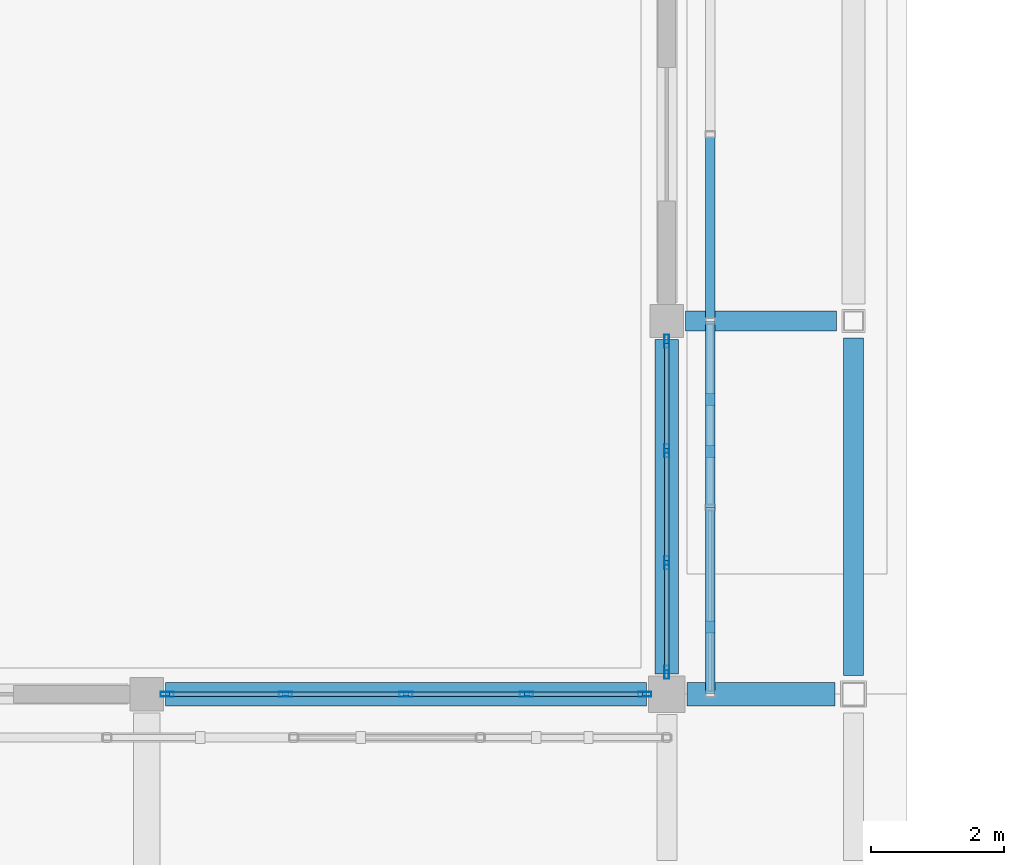
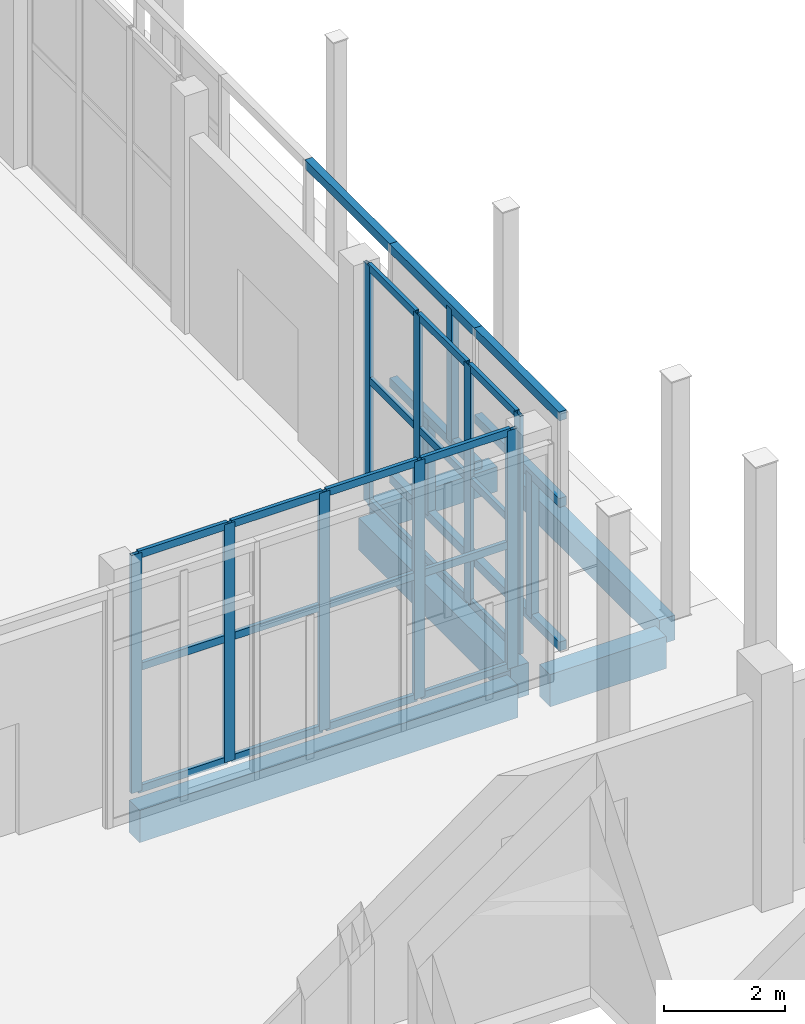
# One storey, part 31 of 91: 40 members, 5 beams, 2 elements without a shape of their own.
"""IFC4 building model written with IfcOpenShell, lengths in metres."""

from ifc_helpers import new_model, si_unit, direction, frame, origin, origin_2d, place, context, subcontext, project, spatial, rectangle, hollow_rectangle, extrude, material, layer, layer_set, material_profile, profile_set, type_object, element, aggregate, save


model = new_model("IFC4")

# Units and contexts
model_context = context("Model", 3, precision=1e-05, world=origin(), true_north=direction((0.0, 1.0)))
body_context = subcontext(model_context, "Body", "Model", "MODEL_VIEW")
ifc_project = project(units=[si_unit("LENGTHUNIT", "METRE"), si_unit("AREAUNIT", "SQUARE_METRE"), si_unit("VOLUMEUNIT", "CUBIC_METRE"), si_unit("PLANEANGLEUNIT", "RADIAN"), si_unit("MASSUNIT", "GRAM", prefix="KILO")], contexts=[model_context])

# Site, building, storey
site_placement = place(None, origin())
site = spatial("IfcSite", under=ifc_project, at=site_placement, CompositionType="ELEMENT")
building_placement = place(site_placement, origin())
building = spatial("IfcBuilding", under=site, at=building_placement, Name="Vinh Khe Railworks Police Headquarters", CompositionType="ELEMENT")
storey_placement = place(building_placement, origin())
storey = spatial("IfcBuildingStorey", under=building, at=storey_placement, Name="L00", CompositionType="ELEMENT", Elevation=0.0)

# Members
ifc_material_1 = material(Name="Salvaged ironwood timber", Category="wood")
ifc_material_profile_1 = material_profile(ifc_material_1, rectangle(XDim=0.139892578125, YDim=0.179931640625, at=origin_2d()), Name="TIMBER 140x180")
ifc_profile_set_1 = profile_set([ifc_material_profile_1], Name="Salvaged ironwood timber")
member_type_1 = type_object("IfcMemberType", Name="MEM-QUILT-STILE", PredefinedType="CHORD", material=ifc_profile_set_1)
for number, where, z_axis, x_axis, name in (
    (1, (60.64990234375, 25.199951171875, 4.719970703125), (0.0, 1.0, 0.0), (-1.0, 0.0, 0.0), "Salvaged Timber Quilt Transom E-L00-00-TOP"),
    (2, (60.64990234375, 25.199951171875, 0.080078125), (0.0, 1.0, 0.0), (-1.0, 0.0, 0.0), "Salvaged Timber Quilt Transom E-L00-00-BOT"),
    (3, (60.64990234375, 25.199951171875, 2.97607421875), (0.0, 1.0, 0.0), (-1.0, 0.0, 0.0), "Salvaged Timber Quilt Transom E-L00-00-M1"),
):
    element("IfcMember", number, at=place(storey_placement, frame(where, z_axis=z_axis, x_axis=x_axis)), inside=storey, type_object=member_type_1, Name=name, PredefinedType="CHORD", context=body_context, shape_type="SweptSolid", body=[
        extrude(rectangle(XDim=0.139892578125, YDim=0.179931640625, at=origin_2d()), origin(), (0.0, 0.0, 1.0), 2.800048828125),
    ])
member_1_placement = place(storey_placement, frame((60.64990234375, 26.2080078125, 0.080078125), z_axis=(0.0, 0.0, 1.0), x_axis=(1.0, 0.0, 0.0)))
element("IfcMember", 4, at=member_1_placement, inside=storey, type_object=member_type_1, Name="Salvaged Timber Quilt Stile E-L00-00-V1", PredefinedType="POST", context=body_context, shape_type="SweptSolid", body=[
    extrude(rectangle(XDim=0.139892578125, YDim=0.179931640625, at=origin_2d()), origin(), (0.0, 0.0, 1.0), 2.89599609375),
])
for number, where, z_axis, x_axis, name in (
    (5, (60.64990234375, 28.0, 4.719970703125), (0.0, 1.0, 0.0), (-1.0, 0.0, 0.0), "Salvaged Timber Quilt Transom E-L00-01-TOP"),
    (6, (60.64990234375, 28.0, 0.080078125), (0.0, 1.0, 0.0), (-1.0, 0.0, 0.0), "Salvaged Timber Quilt Transom E-L00-01-BOT"),
    (7, (60.64990234375, 28.0, 2.01611328125), (0.0, 1.0, 0.0), (-1.0, 0.0, 0.0), "Salvaged Timber Quilt Transom E-L00-01-M1"),
):
    element("IfcMember", number, at=place(storey_placement, frame(where, z_axis=z_axis, x_axis=x_axis)), inside=storey, type_object=member_type_1, Name=name, PredefinedType="CHORD", context=body_context, shape_type="SweptSolid", body=[
        extrude(rectangle(XDim=0.139892578125, YDim=0.179931640625, at=origin_2d()), origin(), (0.0, 0.0, 1.0), 2.800048828125),
    ])
member_2_placement = place(storey_placement, frame((60.64990234375, 29.6240234375, 0.080078125), z_axis=(0.0, 0.0, 1.0), x_axis=(1.0, 0.0, 0.0)))
element("IfcMember", 8, at=member_2_placement, inside=storey, type_object=member_type_1, Name="Salvaged Timber Quilt Stile E-L00-01-V1", PredefinedType="POST", context=body_context, shape_type="SweptSolid", body=[
    extrude(rectangle(XDim=0.139892578125, YDim=0.179931640625, at=origin_2d()), origin(), (0.0, 0.0, 1.0), 1.93603515625),
])
member_3_placement = place(storey_placement, frame((60.64990234375, 28.840087890625, 2.01611328125), z_axis=(0.0, 0.0, 1.0), x_axis=(1.0, 0.0, 0.0)))
element("IfcMember", 9, at=member_3_placement, inside=storey, type_object=member_type_1, Name="Salvaged Timber Quilt Stile E-L00-01-V2", PredefinedType="POST", context=body_context, shape_type="SweptSolid", body=[
    extrude(rectangle(XDim=0.139892578125, YDim=0.179931640625, at=origin_2d()), origin(), (0.0, 0.0, 1.0), 2.703857421875),
])
member_4_placement = place(storey_placement, frame((60.64990234375, 30.800048828125, 4.719970703125), z_axis=(0.0, 1.0, 0.0), x_axis=(-1.0, 0.0, 0.0)))
element("IfcMember", 10, at=member_4_placement, inside=storey, type_object=member_type_1, Name="Salvaged Timber Quilt Transom E-L00-02-TOP", PredefinedType="CHORD", context=body_context, shape_type="SweptSolid", body=[
    extrude(rectangle(XDim=0.139892578125, YDim=0.179931640625, at=origin_2d()), origin(), (0.0, 0.0, 1.0), 2.800048828125),
])

# Curtain wall, members
ifc_material_2 = material(Name="Anodised aluminium and low-iron glass", Category="aluminium")
ifc_layer = layer(ifc_material_2, 0.179931640625)
ifc_layer_set = layer_set([ifc_layer], Name="Anodised aluminium and low-iron glass")
curtain_wall_type = type_object("IfcCurtainWallType", Name="CW-CUBE-UNIT", PredefinedType="USERDEFINED", material=ifc_layer_set)
curtain_wall_1_placement = place(storey_placement, origin())
curtain_wall_1 = element("IfcCurtainWall", 11, at=curtain_wall_1_placement, inside=storey, type_object=curtain_wall_type, Name="Entrance Hall Curtain Wall L00 S-5", ObjectType="UNITISED GLAZING", PredefinedType="USERDEFINED")
ifc_material_3 = material(Name="Anodised aluminium 6063-T6", Category="aluminium")
ifc_material_profile_2 = material_profile(ifc_material_3, hollow_rectangle(XDim=0.070068359375, YDim=0.199951171875, WallThickness=0.0048828125, at=origin_2d()), Name="CW-M 70x200x5")
ifc_profile_set_2 = profile_set([ifc_material_profile_2], Name="Anodised aluminium 6063-T6")
member_type_2 = type_object("IfcMemberType", Name="MULL-CWM-03", PredefinedType="MULLION", material=ifc_profile_set_2)
member_5_placement = place(storey_placement, frame((52.5048828125, 25.199951171875, 0.0), z_axis=(0.0, 0.0, 1.0), x_axis=(0.0, 1.0, 0.0)))
member_5 = element("IfcMember", 12, at=member_5_placement, type_object=member_type_2, Name="CW-01 mullion 1", PredefinedType="MULLION", context=body_context, shape_type="SweptSolid", body=[
    extrude(hollow_rectangle(XDim=0.070068359375, YDim=0.199951171875, WallThickness=0.0048828125, at=origin_2d()), origin(), (0.0, 0.0, 1.0), 4.800048828125),
])
member_6_placement = place(storey_placement, frame((54.27880859375, 25.199951171875, 0.0), z_axis=(0.0, 0.0, 1.0), x_axis=(0.0, 1.0, 0.0)))
member_6 = element("IfcMember", 13, at=member_6_placement, type_object=member_type_2, Name="CW-01 mullion 2", PredefinedType="MULLION", context=body_context, shape_type="SweptSolid", body=[
    extrude(hollow_rectangle(XDim=0.070068359375, YDim=0.199951171875, WallThickness=0.0048828125, at=origin_2d()), origin(), (0.0, 0.0, 1.0), 4.800048828125),
])
member_7_placement = place(storey_placement, frame((56.08740234375, 25.199951171875, 0.0), z_axis=(0.0, 0.0, 1.0), x_axis=(0.0, 1.0, 0.0)))
member_7 = element("IfcMember", 14, at=member_7_placement, type_object=member_type_2, Name="CW-01 mullion 3", PredefinedType="MULLION", context=body_context, shape_type="SweptSolid", body=[
    extrude(hollow_rectangle(XDim=0.070068359375, YDim=0.199951171875, WallThickness=0.0048828125, at=origin_2d()), origin(), (0.0, 0.0, 1.0), 4.800048828125),
])
member_8_placement = place(storey_placement, frame((57.896240234375, 25.199951171875, 0.0), z_axis=(0.0, 0.0, 1.0), x_axis=(0.0, 1.0, 0.0)))
member_8 = element("IfcMember", 15, at=member_8_placement, type_object=member_type_2, Name="CW-01 mullion 4", PredefinedType="MULLION", context=body_context, shape_type="SweptSolid", body=[
    extrude(hollow_rectangle(XDim=0.070068359375, YDim=0.199951171875, WallThickness=0.0048828125, at=origin_2d()), origin(), (0.0, 0.0, 1.0), 4.800048828125),
])
member_9_placement = place(storey_placement, frame((59.669921875, 25.199951171875, 0.0), z_axis=(0.0, 0.0, 1.0), x_axis=(0.0, 1.0, 0.0)))
member_9 = element("IfcMember", 16, at=member_9_placement, type_object=member_type_2, Name="CW-01 mullion 5", PredefinedType="MULLION", context=body_context, shape_type="SweptSolid", body=[
    extrude(hollow_rectangle(XDim=0.070068359375, YDim=0.199951171875, WallThickness=0.0048828125, at=origin_2d()), origin(), (0.0, 0.0, 1.0), 4.800048828125),
])

curtain_wall_2_placement = place(storey_placement, origin())
curtain_wall_2 = element("IfcCurtainWall", 17, at=curtain_wall_2_placement, inside=storey, type_object=curtain_wall_type, Name="Entrance Hall Curtain Wall L00 E-1", ObjectType="UNITISED GLAZING", PredefinedType="USERDEFINED")
member_10_placement = place(storey_placement, frame((60.0, 25.530029296875, 0.0), z_axis=(0.0, 0.0, 1.0), x_axis=(-1.0, 0.0, 0.0)))
member_10 = element("IfcMember", 18, at=member_10_placement, type_object=member_type_2, Name="CW-01 mullion 1", PredefinedType="MULLION", context=body_context, shape_type="SweptSolid", body=[
    extrude(hollow_rectangle(XDim=0.070068359375, YDim=0.199951171875, WallThickness=0.0048828125, at=origin_2d()), origin(), (0.0, 0.0, 1.0), 4.800048828125),
])
member_11_placement = place(storey_placement, frame((60.0, 27.17333984375, 0.0), z_axis=(0.0, 0.0, 1.0), x_axis=(-1.0, 0.0, 0.0)))
member_11 = element("IfcMember", 19, at=member_11_placement, type_object=member_type_2, Name="CW-01 mullion 2", PredefinedType="MULLION", context=body_context, shape_type="SweptSolid", body=[
    extrude(hollow_rectangle(XDim=0.070068359375, YDim=0.199951171875, WallThickness=0.0048828125, at=origin_2d()), origin(), (0.0, 0.0, 1.0), 4.800048828125),
])
member_12_placement = place(storey_placement, frame((60.0, 28.8515625, 0.0), z_axis=(0.0, 0.0, 1.0), x_axis=(-1.0, 0.0, 0.0)))
member_12 = element("IfcMember", 20, at=member_12_placement, type_object=member_type_2, Name="CW-01 mullion 3", PredefinedType="MULLION", context=body_context, shape_type="SweptSolid", body=[
    extrude(hollow_rectangle(XDim=0.070068359375, YDim=0.199951171875, WallThickness=0.0048828125, at=origin_2d()), origin(), (0.0, 0.0, 1.0), 4.800048828125),
])
member_13_placement = place(storey_placement, frame((60.0, 30.4951171875, 0.0), z_axis=(0.0, 0.0, 1.0), x_axis=(-1.0, 0.0, 0.0)))
member_13 = element("IfcMember", 21, at=member_13_placement, type_object=member_type_2, Name="CW-01 mullion 4", PredefinedType="MULLION", context=body_context, shape_type="SweptSolid", body=[
    extrude(hollow_rectangle(XDim=0.070068359375, YDim=0.199951171875, WallThickness=0.0048828125, at=origin_2d()), origin(), (0.0, 0.0, 1.0), 4.800048828125),
])

# Beams
ifc_material_4 = material(Name="Concrete C35/45 (B35)", Category="concrete")
ifc_material_profile_3 = material_profile(ifc_material_4, rectangle(XDim=0.300048828125, YDim=0.5, at=origin_2d()), Name="RC 300x500")
ifc_profile_set_3 = profile_set([ifc_material_profile_3], Name="Concrete C35/45 (B35)")
beam_type_1 = type_object("IfcBeamType", Name="RC Girder RC 300x500", PredefinedType="BEAM", material=ifc_profile_set_3)
beam_1_placement = place(storey_placement, frame((60.280029296875, 30.800048828125, -0.530029296875), z_axis=(1.0, 0.0, 0.0), x_axis=(0.0, 1.0, 0.0)))
element("IfcBeam", 22, at=beam_1_placement, inside=storey, type_object=beam_type_1, Name="Girder BM-L00-EW-RB-10-0048", PredefinedType="BEAM", context=body_context, shape_type="SweptSolid", body=[
    extrude(rectangle(XDim=0.300048828125, YDim=0.5, at=origin_2d()), origin(), (0.0, 0.0, 1.0), 2.264892578125),
])
beam_2_placement = place(storey_placement, frame((62.800048828125, 25.47998046875, -0.530029296875), z_axis=(0.0, 1.0, 0.0), x_axis=(-1.0, 0.0, 0.0)))
element("IfcBeam", 23, at=beam_2_placement, inside=storey, type_object=beam_type_1, Name="Girder BM-L00-NS-RB-10-0336", PredefinedType="BEAM", context=body_context, shape_type="SweptSolid", body=[
    extrude(rectangle(XDim=0.300048828125, YDim=0.5, at=origin_2d()), origin(), (0.0, 0.0, 1.0), 5.06494140625),
])
ifc_material_profile_4 = material_profile(ifc_material_4, rectangle(XDim=0.35009765625, YDim=0.64990234375, at=origin_2d()), Name="RC 350x650")
ifc_profile_set_4 = profile_set([ifc_material_profile_4], Name="Concrete C35/45 (B35)")
beam_type_2 = type_object("IfcBeamType", Name="RC Girder RC 350x650", PredefinedType="BEAM", material=ifc_profile_set_4)
beam_3_placement = place(storey_placement, frame((52.47998046875, 25.199951171875, -0.60498046875), z_axis=(1.0, 0.0, 0.0), x_axis=(0.0, 1.0, 0.0)))
element("IfcBeam", 24, at=beam_3_placement, inside=storey, type_object=beam_type_2, Name="Girder BM-L00-EW-RB-08-0042", PredefinedType="BEAM", context=body_context, shape_type="SweptSolid", body=[
    extrude(rectangle(XDim=0.35009765625, YDim=0.64990234375, at=origin_2d()), origin(), (0.0, 0.0, 1.0), 7.215087890625),
])
beam_4_placement = place(storey_placement, frame((60.304931640625, 25.199951171875, -0.60498046875), z_axis=(1.0, 0.0, 0.0), x_axis=(0.0, 1.0, 0.0)))
element("IfcBeam", 25, at=beam_4_placement, inside=storey, type_object=beam_type_2, Name="Girder BM-L00-EW-RB-08-0043", PredefinedType="BEAM", context=body_context, shape_type="SweptSolid", body=[
    extrude(rectangle(XDim=0.35009765625, YDim=0.64990234375, at=origin_2d()), origin(), (0.0, 0.0, 1.0), 2.215087890625),
])
beam_5_placement = place(storey_placement, frame((60.0, 25.5048828125, -0.60498046875), z_axis=(0.0, 1.0, 0.0), x_axis=(-1.0, 0.0, 0.0)))
element("IfcBeam", 26, at=beam_5_placement, inside=storey, type_object=beam_type_2, Name="Girder BM-L00-NS-RB-08-0322", PredefinedType="BEAM", context=body_context, shape_type="SweptSolid", body=[
    extrude(rectangle(XDim=0.35009765625, YDim=0.64990234375, at=origin_2d()), origin(), (0.0, 0.0, 1.0), 5.01513671875),
])

# Member
ifc_material_profile_5 = material_profile(ifc_material_3, hollow_rectangle(XDim=0.070068359375, YDim=0.14990234375, WallThickness=0.0048828125, at=origin_2d()), Name="CW-T 70x150x5")
ifc_profile_set_5 = profile_set([ifc_material_profile_5], Name="Anodised aluminium 6063-T6")
member_type_3 = type_object("IfcMemberType", Name="TRAN-CWT-03", PredefinedType="USERDEFINED", material=ifc_profile_set_5)
member_14_placement = place(storey_placement, frame((52.5400390625, 25.199951171875, 0.034912109375), z_axis=(1.0, 0.0, 0.0), x_axis=(0.0, 1.0, 0.0)))
member_14 = element("IfcMember", 27, at=member_14_placement, type_object=member_type_3, Name="CW-01 transom 1.1", ObjectType="TRANSOM", PredefinedType="USERDEFINED", context=body_context, shape_type="SweptSolid", body=[
    extrude(hollow_rectangle(XDim=0.070068359375, YDim=0.14990234375, WallThickness=0.0048828125, at=origin_2d()), origin(), (0.0, 0.0, 1.0), 1.70361328125),
])

member_15_placement = place(storey_placement, frame((52.5400390625, 25.199951171875, 2.49609375), z_axis=(1.0, 0.0, 0.0), x_axis=(0.0, 1.0, 0.0)))
member_15 = element("IfcMember", 28, at=member_15_placement, type_object=member_type_3, Name="CW-01 transom 1.2", ObjectType="TRANSOM", PredefinedType="USERDEFINED", context=body_context, shape_type="SweptSolid", body=[
    extrude(hollow_rectangle(XDim=0.070068359375, YDim=0.14990234375, WallThickness=0.0048828125, at=origin_2d()), origin(), (0.0, 0.0, 1.0), 1.70361328125),
])

member_16_placement = place(storey_placement, frame((52.5400390625, 25.199951171875, 4.764892578125), z_axis=(1.0, 0.0, 0.0), x_axis=(0.0, 1.0, 0.0)))
member_16 = element("IfcMember", 29, at=member_16_placement, type_object=member_type_3, Name="CW-01 transom 1.3", ObjectType="TRANSOM", PredefinedType="USERDEFINED", context=body_context, shape_type="SweptSolid", body=[
    extrude(hollow_rectangle(XDim=0.070068359375, YDim=0.14990234375, WallThickness=0.0048828125, at=origin_2d()), origin(), (0.0, 0.0, 1.0), 1.70361328125),
])

member_17_placement = place(storey_placement, frame((54.313720703125, 25.199951171875, 0.034912109375), z_axis=(1.0, 0.0, 0.0), x_axis=(0.0, 1.0, 0.0)))
member_17 = element("IfcMember", 30, at=member_17_placement, type_object=member_type_3, Name="CW-01 transom 2.1", ObjectType="TRANSOM", PredefinedType="USERDEFINED", context=body_context, shape_type="SweptSolid", body=[
    extrude(hollow_rectangle(XDim=0.070068359375, YDim=0.14990234375, WallThickness=0.0048828125, at=origin_2d()), origin(), (0.0, 0.0, 1.0), 1.73876953125),
])

member_18_placement = place(storey_placement, frame((54.313720703125, 25.199951171875, 2.49609375), z_axis=(1.0, 0.0, 0.0), x_axis=(0.0, 1.0, 0.0)))
member_18 = element("IfcMember", 31, at=member_18_placement, type_object=member_type_3, Name="CW-01 transom 2.2", ObjectType="TRANSOM", PredefinedType="USERDEFINED", context=body_context, shape_type="SweptSolid", body=[
    extrude(hollow_rectangle(XDim=0.070068359375, YDim=0.14990234375, WallThickness=0.0048828125, at=origin_2d()), origin(), (0.0, 0.0, 1.0), 1.73876953125),
])

member_19_placement = place(storey_placement, frame((54.313720703125, 25.199951171875, 4.764892578125), z_axis=(1.0, 0.0, 0.0), x_axis=(0.0, 1.0, 0.0)))
member_19 = element("IfcMember", 32, at=member_19_placement, type_object=member_type_3, Name="CW-01 transom 2.3", ObjectType="TRANSOM", PredefinedType="USERDEFINED", context=body_context, shape_type="SweptSolid", body=[
    extrude(hollow_rectangle(XDim=0.070068359375, YDim=0.14990234375, WallThickness=0.0048828125, at=origin_2d()), origin(), (0.0, 0.0, 1.0), 1.73876953125),
])

member_20_placement = place(storey_placement, frame((56.12255859375, 25.199951171875, 0.034912109375), z_axis=(1.0, 0.0, 0.0), x_axis=(0.0, 1.0, 0.0)))
member_20 = element("IfcMember", 33, at=member_20_placement, type_object=member_type_3, Name="CW-01 transom 3.1", ObjectType="TRANSOM", PredefinedType="USERDEFINED", context=body_context, shape_type="SweptSolid", body=[
    extrude(hollow_rectangle(XDim=0.070068359375, YDim=0.14990234375, WallThickness=0.0048828125, at=origin_2d()), origin(), (0.0, 0.0, 1.0), 1.73876953125),
])

member_21_placement = place(storey_placement, frame((56.12255859375, 25.199951171875, 2.49609375), z_axis=(1.0, 0.0, 0.0), x_axis=(0.0, 1.0, 0.0)))
member_21 = element("IfcMember", 34, at=member_21_placement, type_object=member_type_3, Name="CW-01 transom 3.2", ObjectType="TRANSOM", PredefinedType="USERDEFINED", context=body_context, shape_type="SweptSolid", body=[
    extrude(hollow_rectangle(XDim=0.070068359375, YDim=0.14990234375, WallThickness=0.0048828125, at=origin_2d()), origin(), (0.0, 0.0, 1.0), 1.73876953125),
])

member_22_placement = place(storey_placement, frame((56.12255859375, 25.199951171875, 4.764892578125), z_axis=(1.0, 0.0, 0.0), x_axis=(0.0, 1.0, 0.0)))
member_22 = element("IfcMember", 35, at=member_22_placement, type_object=member_type_3, Name="CW-01 transom 3.3", ObjectType="TRANSOM", PredefinedType="USERDEFINED", context=body_context, shape_type="SweptSolid", body=[
    extrude(hollow_rectangle(XDim=0.070068359375, YDim=0.14990234375, WallThickness=0.0048828125, at=origin_2d()), origin(), (0.0, 0.0, 1.0), 1.73876953125),
])

member_23_placement = place(storey_placement, frame((57.93115234375, 25.199951171875, 0.034912109375), z_axis=(1.0, 0.0, 0.0), x_axis=(0.0, 1.0, 0.0)))
member_23 = element("IfcMember", 36, at=member_23_placement, type_object=member_type_3, Name="CW-01 transom 4.1", ObjectType="TRANSOM", PredefinedType="USERDEFINED", context=body_context, shape_type="SweptSolid", body=[
    extrude(hollow_rectangle(XDim=0.070068359375, YDim=0.14990234375, WallThickness=0.0048828125, at=origin_2d()), origin(), (0.0, 0.0, 1.0), 1.703857421875),
])

member_24_placement = place(storey_placement, frame((57.93115234375, 25.199951171875, 2.49609375), z_axis=(1.0, 0.0, 0.0), x_axis=(0.0, 1.0, 0.0)))
member_24 = element("IfcMember", 37, at=member_24_placement, type_object=member_type_3, Name="CW-01 transom 4.2", ObjectType="TRANSOM", PredefinedType="USERDEFINED", context=body_context, shape_type="SweptSolid", body=[
    extrude(hollow_rectangle(XDim=0.070068359375, YDim=0.14990234375, WallThickness=0.0048828125, at=origin_2d()), origin(), (0.0, 0.0, 1.0), 1.703857421875),
])

member_25_placement = place(storey_placement, frame((57.93115234375, 25.199951171875, 4.764892578125), z_axis=(1.0, 0.0, 0.0), x_axis=(0.0, 1.0, 0.0)))
member_25 = element("IfcMember", 38, at=member_25_placement, type_object=member_type_3, Name="CW-01 transom 4.3", ObjectType="TRANSOM", PredefinedType="USERDEFINED", context=body_context, shape_type="SweptSolid", body=[
    extrude(hollow_rectangle(XDim=0.070068359375, YDim=0.14990234375, WallThickness=0.0048828125, at=origin_2d()), origin(), (0.0, 0.0, 1.0), 1.703857421875),
])

aggregate(curtain_wall_1, [member_5, member_6, member_7, member_8, member_9, member_14, member_15, member_16, member_17, member_18, member_19, member_20, member_21, member_22, member_23, member_24, member_25])

member_26_placement = place(storey_placement, frame((60.0, 25.56494140625, 0.034912109375), z_axis=(0.0, 1.0, 0.0), x_axis=(-1.0, 0.0, 0.0)))
member_26 = element("IfcMember", 39, at=member_26_placement, type_object=member_type_3, Name="CW-01 transom 1.1", ObjectType="TRANSOM", PredefinedType="USERDEFINED", context=body_context, shape_type="SweptSolid", body=[
    extrude(hollow_rectangle(XDim=0.070068359375, YDim=0.14990234375, WallThickness=0.0048828125, at=origin_2d()), origin(), (0.0, 0.0, 1.0), 1.573486328125),
])

member_27_placement = place(storey_placement, frame((60.0, 25.56494140625, 2.49609375), z_axis=(0.0, 1.0, 0.0), x_axis=(-1.0, 0.0, 0.0)))
member_27 = element("IfcMember", 40, at=member_27_placement, type_object=member_type_3, Name="CW-01 transom 1.2", ObjectType="TRANSOM", PredefinedType="USERDEFINED", context=body_context, shape_type="SweptSolid", body=[
    extrude(hollow_rectangle(XDim=0.070068359375, YDim=0.14990234375, WallThickness=0.0048828125, at=origin_2d()), origin(), (0.0, 0.0, 1.0), 1.573486328125),
])

member_28_placement = place(storey_placement, frame((60.0, 25.56494140625, 4.764892578125), z_axis=(0.0, 1.0, 0.0), x_axis=(-1.0, 0.0, 0.0)))
member_28 = element("IfcMember", 41, at=member_28_placement, type_object=member_type_3, Name="CW-01 transom 1.3", ObjectType="TRANSOM", PredefinedType="USERDEFINED", context=body_context, shape_type="SweptSolid", body=[
    extrude(hollow_rectangle(XDim=0.070068359375, YDim=0.14990234375, WallThickness=0.0048828125, at=origin_2d()), origin(), (0.0, 0.0, 1.0), 1.573486328125),
])

member_29_placement = place(storey_placement, frame((60.0, 27.208251953125, 0.034912109375), z_axis=(0.0, 1.0, 0.0), x_axis=(-1.0, 0.0, 0.0)))
member_29 = element("IfcMember", 42, at=member_29_placement, type_object=member_type_3, Name="CW-01 transom 2.1", ObjectType="TRANSOM", PredefinedType="USERDEFINED", context=body_context, shape_type="SweptSolid", body=[
    extrude(hollow_rectangle(XDim=0.070068359375, YDim=0.14990234375, WallThickness=0.0048828125, at=origin_2d()), origin(), (0.0, 0.0, 1.0), 1.6083984375),
])

member_30_placement = place(storey_placement, frame((60.0, 27.208251953125, 2.49609375), z_axis=(0.0, 1.0, 0.0), x_axis=(-1.0, 0.0, 0.0)))
member_30 = element("IfcMember", 43, at=member_30_placement, type_object=member_type_3, Name="CW-01 transom 2.2", ObjectType="TRANSOM", PredefinedType="USERDEFINED", context=body_context, shape_type="SweptSolid", body=[
    extrude(hollow_rectangle(XDim=0.070068359375, YDim=0.14990234375, WallThickness=0.0048828125, at=origin_2d()), origin(), (0.0, 0.0, 1.0), 1.6083984375),
])

member_31_placement = place(storey_placement, frame((60.0, 27.208251953125, 4.764892578125), z_axis=(0.0, 1.0, 0.0), x_axis=(-1.0, 0.0, 0.0)))
member_31 = element("IfcMember", 44, at=member_31_placement, type_object=member_type_3, Name="CW-01 transom 2.3", ObjectType="TRANSOM", PredefinedType="USERDEFINED", context=body_context, shape_type="SweptSolid", body=[
    extrude(hollow_rectangle(XDim=0.070068359375, YDim=0.14990234375, WallThickness=0.0048828125, at=origin_2d()), origin(), (0.0, 0.0, 1.0), 1.6083984375),
])

member_32_placement = place(storey_placement, frame((60.0, 28.88671875, 0.034912109375), z_axis=(0.0, 1.0, 0.0), x_axis=(-1.0, 0.0, 0.0)))
member_32 = element("IfcMember", 45, at=member_32_placement, type_object=member_type_3, Name="CW-01 transom 3.1", ObjectType="TRANSOM", PredefinedType="USERDEFINED", context=body_context, shape_type="SweptSolid", body=[
    extrude(hollow_rectangle(XDim=0.070068359375, YDim=0.14990234375, WallThickness=0.0048828125, at=origin_2d()), origin(), (0.0, 0.0, 1.0), 1.5732421875),
])

member_33_placement = place(storey_placement, frame((60.0, 28.88671875, 2.49609375), z_axis=(0.0, 1.0, 0.0), x_axis=(-1.0, 0.0, 0.0)))
member_33 = element("IfcMember", 46, at=member_33_placement, type_object=member_type_3, Name="CW-01 transom 3.2", ObjectType="TRANSOM", PredefinedType="USERDEFINED", context=body_context, shape_type="SweptSolid", body=[
    extrude(hollow_rectangle(XDim=0.070068359375, YDim=0.14990234375, WallThickness=0.0048828125, at=origin_2d()), origin(), (0.0, 0.0, 1.0), 1.5732421875),
])

member_34_placement = place(storey_placement, frame((60.0, 28.88671875, 4.764892578125), z_axis=(0.0, 1.0, 0.0), x_axis=(-1.0, 0.0, 0.0)))
member_34 = element("IfcMember", 47, at=member_34_placement, type_object=member_type_3, Name="CW-01 transom 3.3", ObjectType="TRANSOM", PredefinedType="USERDEFINED", context=body_context, shape_type="SweptSolid", body=[
    extrude(hollow_rectangle(XDim=0.070068359375, YDim=0.14990234375, WallThickness=0.0048828125, at=origin_2d()), origin(), (0.0, 0.0, 1.0), 1.5732421875),
])

aggregate(curtain_wall_2, [member_10, member_11, member_12, member_13, member_26, member_27, member_28, member_29, member_30, member_31, member_32, member_33, member_34])

save(model, "model.ifc")
